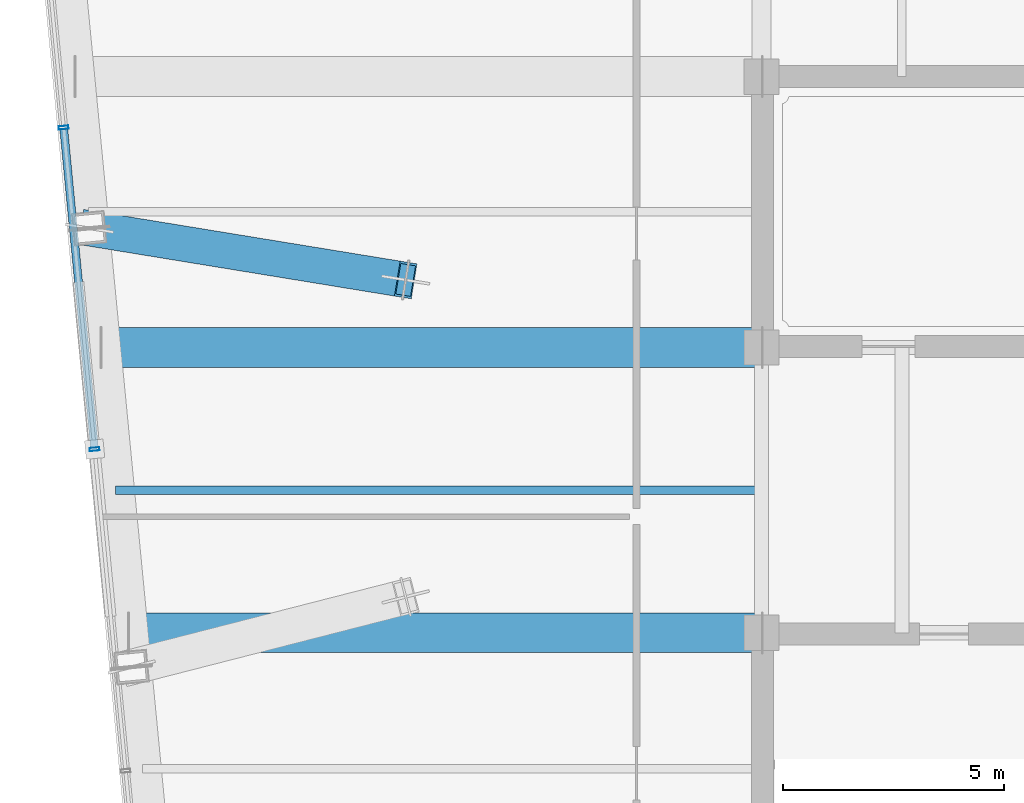
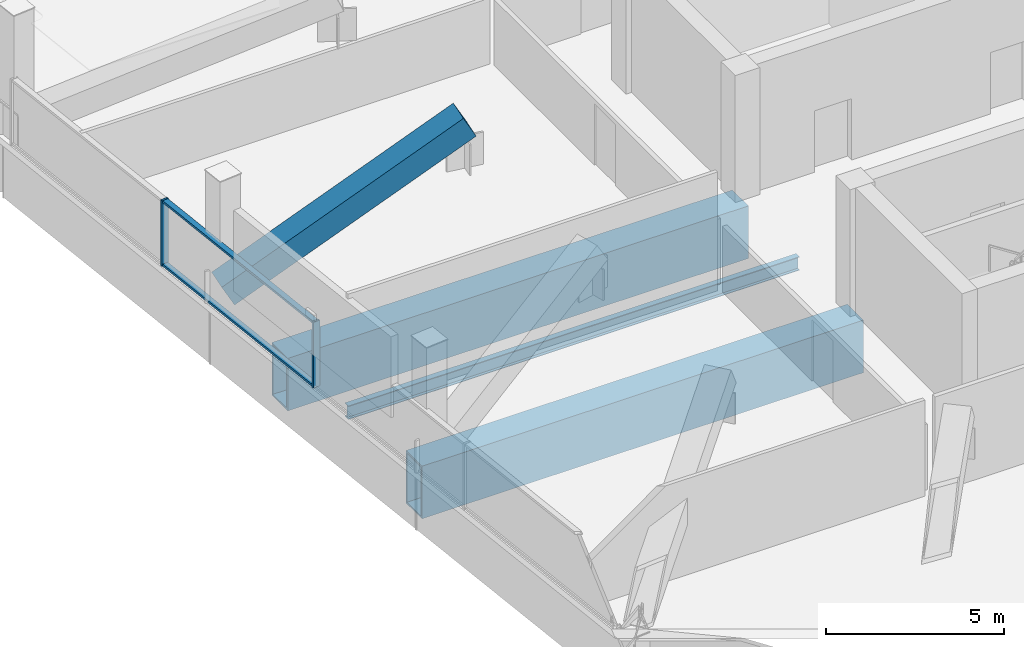
# One storey, part 6 of 22: 5 members, 3 beams, 1 element without a shape of its own.
"""IFC4 building model written with IfcOpenShell, lengths in metres."""

from ifc_helpers import new_model, si_unit, direction, frame, origin, origin_2d, place, context, subcontext, project, spatial, hollow_rectangle, i_section, extrude, material, layer, layer_set, material_profile, profile_set, type_object, element, aggregate, save


model = new_model("IFC4")

# Units and contexts
model_context = context("Model", 3, precision=1e-05, world=origin(), true_north=direction((0.0, 1.0)))
body_context = subcontext(model_context, "Body", "Model", "MODEL_VIEW")
ifc_project = project(units=[si_unit("LENGTHUNIT", "METRE"), si_unit("AREAUNIT", "SQUARE_METRE"), si_unit("VOLUMEUNIT", "CUBIC_METRE"), si_unit("PLANEANGLEUNIT", "RADIAN"), si_unit("MASSUNIT", "GRAM", prefix="KILO")], contexts=[model_context])

# Site, building, storey
site_placement = place(None, origin())
site = spatial("IfcSite", under=ifc_project, at=site_placement, CompositionType="ELEMENT")
building_placement = place(site_placement, origin())
building = spatial("IfcBuilding", under=site, at=building_placement, Name="Qhalaya Broadcast Tower", CompositionType="ELEMENT")
storey_placement = place(building_placement, frame((0.0, 0.0, 183.60009765625)))
storey = spatial("IfcBuildingStorey", under=building, at=storey_placement, Name="L54", CompositionType="ELEMENT", Elevation=183.60009765625)

# Beams
ifc_material_1 = material(Name="Structural Steel ASTM A572 Grade 50", Category="steel")
ifc_material_profile_1 = material_profile(ifc_material_1, hollow_rectangle(XDim=0.89990234375, YDim=1.800048828125, WallThickness=0.06005859375, at=origin_2d()), Name="BOX 900x1800x60")
ifc_profile_set_1 = profile_set([ifc_material_profile_1], Name="Structural Steel ASTM A572 Grade 50")
beam_type_1 = type_object("IfcBeamType", Name="Block Cantilever Transfer Box Girder TG1", PredefinedType="USERDEFINED", material=ifc_profile_set_1)
beam_1_placement = place(storey_placement, frame((-23.671875, -2.625, -1.1201171875), z_axis=(1.0, 0.0, 0.0), x_axis=(0.0, 1.0, 0.0)))
element("IfcBeam", 1, at=beam_1_placement, inside=storey, type_object=beam_type_1, Name="L54 TG1 L54-PGYW2-1", ObjectType="GIRDER", PredefinedType="USERDEFINED", context=body_context, shape_type="SweptSolid", body=[
    extrude(hollow_rectangle(XDim=0.89990234375, YDim=1.800048828125, WallThickness=0.06005859375, at=origin_2d()), origin(), (0.0, 0.0, 1.0), 14.296875),
])
beam_2_placement = place(storey_placement, frame((-24.29296875, 3.824951171875, -1.1201171875), z_axis=(1.0, 0.0, 0.0), x_axis=(0.0, 1.0, 0.0)))
element("IfcBeam", 2, at=beam_2_placement, inside=storey, type_object=beam_type_1, Name="L54 TG1 L54-PGYW3-1", ObjectType="GIRDER", PredefinedType="USERDEFINED", context=body_context, shape_type="SweptSolid", body=[
    extrude(hollow_rectangle(XDim=0.89990234375, YDim=1.800048828125, WallThickness=0.06005859375, at=origin_2d()), origin(), (0.0, 0.0, 1.0), 14.91796875),
])
ifc_material_2 = material(Name="Structural Steel ASTM A992 Grade 50", Category="steel")
ifc_material_profile_2 = material_profile(ifc_material_2, i_section(OverallWidth=0.19189453125, OverallDepth=0.462890625, WebThickness=0.010498046875, FlangeThickness=0.017578125, at=origin_2d()), Name="W18X60")
ifc_profile_set_2 = profile_set([ifc_material_profile_2], Name="Structural Steel ASTM A992 Grade 50")
beam_type_2 = type_object("IfcBeamType", Name="Composite Floor Joist J03", PredefinedType="JOIST", material=ifc_profile_set_2)
beam_3_placement = place(storey_placement, frame((-23.982421875, 0.60009765625, -0.45166015625), z_axis=(1.0, 0.0, 0.0), x_axis=(0.0, 1.0, 0.0)))
element("IfcBeam", 3, at=beam_3_placement, inside=storey, type_object=beam_type_2, Name="L54 J03 L54-JWE4W-1", PredefinedType="JOIST", context=body_context, shape_type="SweptSolid", body=[
    extrude(i_section(OverallWidth=0.19189453125, OverallDepth=0.462890625, WebThickness=0.010498046875, FlangeThickness=0.017578125, at=origin_2d()), origin(), (0.0, 0.0, 1.0), 14.607421875),
])

# Curtain wall, members
ifc_material_3 = material(Name="Fired Architectural Terracotta", Category="masonry")
ifc_layer = layer(ifc_material_3, 0.219970703125, Name="Fired Architectural Terracotta")
ifc_layer_set = layer_set([ifc_layer], Name="Fired Architectural Terracotta")
curtain_wall_type = type_object("IfcCurtainWallType", Name="Block-Cap Unitised Terracotta Spandrel Wall CW-07", PredefinedType="NOTDEFINED", material=ifc_layer_set)
curtain_wall_placement = place(storey_placement, origin())
curtain_wall = element("IfcCurtainWall", 4, at=curtain_wall_placement, inside=storey, type_object=curtain_wall_type, Name="L54 Unitised Curtain Wall L54-CW-W", PredefinedType="NOTDEFINED")
ifc_material_4 = material(Name="Anodised Aluminium 6063-T6", Category="aluminium")
ifc_material_profile_3 = material_profile(ifc_material_4, hollow_rectangle(XDim=0.074951171875, YDim=0.219970703125, WallThickness=0.00390625, at=origin_2d()), Name="ALU-MUL 75x220x4")
ifc_profile_set_3 = profile_set([ifc_material_profile_3], Name="Anodised Aluminium 6063-T6")
member_type_1 = type_object("IfcMemberType", Name="Unitised Curtain-Wall Mullion M01", PredefinedType="MULLION", material=ifc_profile_set_3)
member_1_placement = place(storey_placement, frame((-24.453369140625, 1.5263671875, 0.0), z_axis=(0.0, 0.0, 1.0), x_axis=(-0.095846069906, 0.995396167806, 0.0)))
member_1 = element("IfcMember", 5, at=member_1_placement, type_object=member_type_1, Name="CW-07 mullion 3", PredefinedType="MULLION", context=body_context, shape_type="SweptSolid", body=[
    extrude(hollow_rectangle(XDim=0.074951171875, YDim=0.219970703125, WallThickness=0.00390625, at=origin_2d()), origin(), (0.0, 0.0, 1.0), 2.25),
])
member_2_placement = place(storey_placement, frame((-25.153564453125, 8.798583984375, 0.0), z_axis=(0.0, 0.0, 1.0), x_axis=(-0.095846069906, 0.995396167806, 0.0)))
member_2 = element("IfcMember", 6, at=member_2_placement, type_object=member_type_1, Name="CW-07 mullion 4", PredefinedType="MULLION", context=body_context, shape_type="SweptSolid", body=[
    extrude(hollow_rectangle(XDim=0.074951171875, YDim=0.219970703125, WallThickness=0.00390625, at=origin_2d()), origin(), (0.0, 0.0, 1.0), 2.25),
])
ifc_material_profile_4 = material_profile(ifc_material_4, hollow_rectangle(XDim=0.074951171875, YDim=0.179931640625, WallThickness=0.00390625, at=origin_2d()), Name="ALU-TRN 75x180x4")
ifc_profile_set_4 = profile_set([ifc_material_profile_4], Name="Anodised Aluminium 6063-T6")
member_type_2 = type_object("IfcMemberType", Name="Unitised Curtain-Wall Transom T01", PredefinedType="USERDEFINED", material=ifc_profile_set_4)
member_3_placement = place(storey_placement, frame((-24.456787109375, 1.563720703125, 0.037353515625), z_axis=(-0.095855874631, 0.995395223667, 0.0), x_axis=(0.0, 0.0, 1.0)))
member_3 = element("IfcMember", 7, at=member_3_placement, type_object=member_type_2, Name="CW-07 transom 3.1", ObjectType="TRANSOM", PredefinedType="USERDEFINED", context=body_context, shape_type="SweptSolid", body=[
    extrude(hollow_rectangle(XDim=0.074951171875, YDim=0.179931640625, WallThickness=0.00390625, at=origin_2d()), origin(), (0.0, 0.0, 1.0), 7.230712890625),
])
member_4_placement = place(storey_placement, frame((-24.456787109375, 1.563720703125, 2.21240234375), z_axis=(-0.095855874631, 0.995395223667, 0.0), x_axis=(0.0, 0.0, 1.0)))
member_4 = element("IfcMember", 8, at=member_4_placement, type_object=member_type_2, Name="CW-07 transom 3.2", ObjectType="TRANSOM", PredefinedType="USERDEFINED", context=body_context, shape_type="SweptSolid", body=[
    extrude(hollow_rectangle(XDim=0.074951171875, YDim=0.179931640625, WallThickness=0.00390625, at=origin_2d()), origin(), (0.0, 0.0, 1.0), 7.230712890625),
])
aggregate(curtain_wall, [member_1, member_2, member_3, member_4])

# Member
ifc_material_profile_5 = material_profile(ifc_material_1, hollow_rectangle(XDim=0.800048828125, YDim=0.800048828125, WallThickness=0.050048828125, at=origin_2d()), Name="BOX 800x800x50")
ifc_profile_set_5 = profile_set([ifc_material_profile_5], Name="Structural Steel ASTM A572 Grade 50")
member_type_3 = type_object("IfcMemberType", Name="Upper Exoskeleton Transfer Strut RK2", PredefinedType="BRACE", material=ifc_profile_set_5)
member_5_placement = place(storey_placement, frame((-24.572509765625, 6.521240234375, 0.3603515625), z_axis=(0.864587331719, -0.141181206094, 0.482241239295), x_axis=(0.161158684462, 0.98692850725, 0.0)))
element("IfcMember", 9, at=member_5_placement, inside=storey, type_object=member_type_3, Name="L54 Inclined Exoskeleton Transfer Strut 14", PredefinedType="BRACE", context=body_context, shape_type="SweptSolid", body=[
    extrude(hollow_rectangle(XDim=0.800048828125, YDim=0.800048828125, WallThickness=0.050048828125, at=origin_2d()), origin(), (0.0, 0.0, 1.0), 8.27294921875),
])

save(model, "model.ifc")
